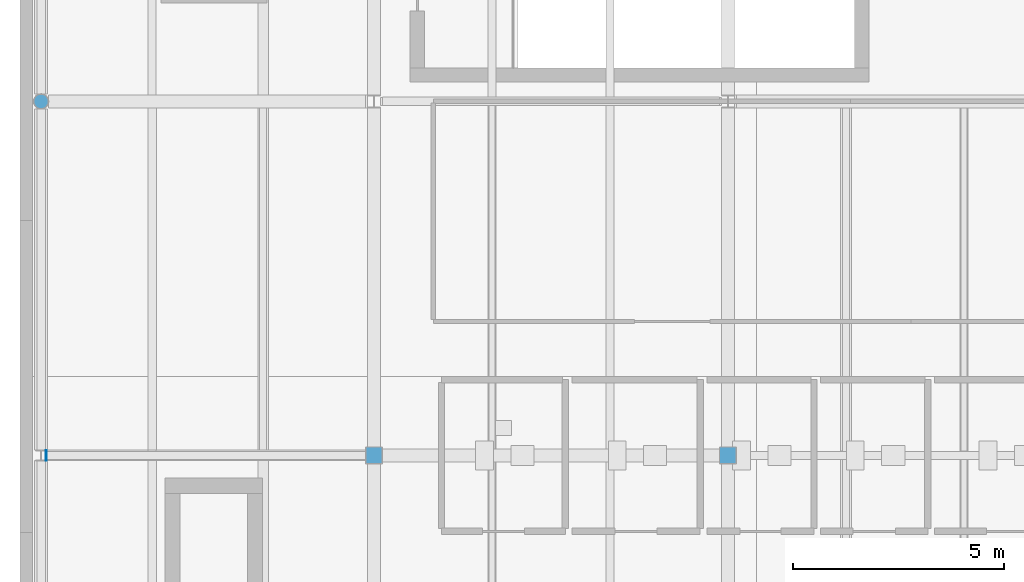
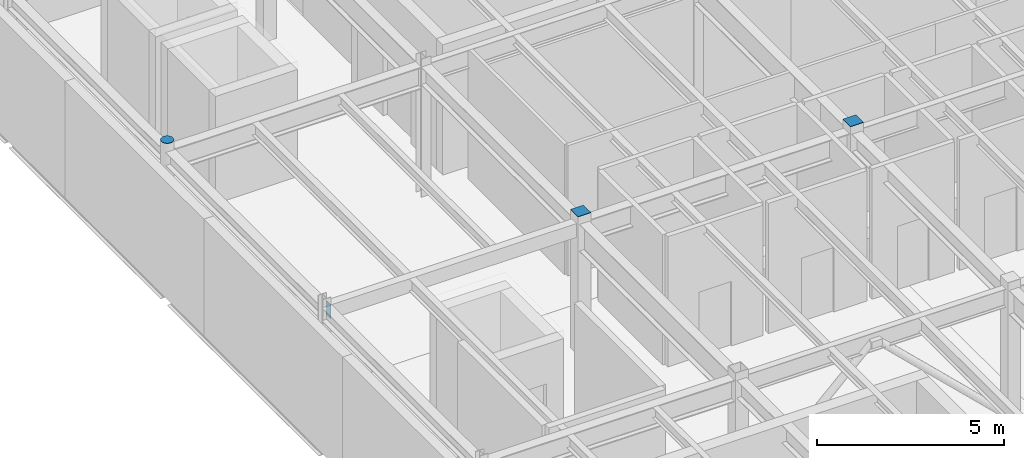
# One storey, part 22 of 26: 4 discrete accessories.
"""IFC4 building model written with IfcOpenShell, lengths in metres."""

from ifc_helpers import new_model, si_unit, direction, frame, origin, origin_2d, place, context, subcontext, project, spatial, rectangle, circle, extrude, material, type_object, element, save


model = new_model("IFC4")

# Units and contexts
model_context = context("Model", 3, precision=1e-05, world=origin(), true_north=direction((0.0, 1.0)))
body_context = subcontext(model_context, "Body", "Model", "MODEL_VIEW")
ifc_project = project(units=[si_unit("LENGTHUNIT", "METRE"), si_unit("AREAUNIT", "SQUARE_METRE"), si_unit("VOLUMEUNIT", "CUBIC_METRE"), si_unit("PLANEANGLEUNIT", "RADIAN"), si_unit("MASSUNIT", "GRAM", prefix="KILO"), si_unit("THERMODYNAMICTEMPERATUREUNIT", "KELVIN")], contexts=[model_context])

# Site, building, storey
site_placement = place(None, origin())
site = spatial("IfcSite", under=ifc_project, at=site_placement, CompositionType="ELEMENT")
building_placement = place(site_placement, origin())
building = spatial("IfcBuilding", under=site, at=building_placement, Name="Lustrewick Department Store", CompositionType="ELEMENT")
storey_placement = place(building_placement, frame((0.0, 0.0, 36.300048828125)))
storey = spatial("IfcBuildingStorey", under=building, at=storey_placement, Name="L08", CompositionType="ELEMENT", Elevation=36.300048828125)

# Discrete accessories
ifc_material = material(Name="Structural steel Q355C", Category="steel")
discrete_accessory_type = type_object("IfcDiscreteAccessoryType", Name="ECP-01", PredefinedType="USERDEFINED", material=ifc_material)
discrete_accessory_1_placement = place(storey_placement, frame((109.699951171875, 75.60009765625, 4.493896484375), z_axis=(0.0, 0.0, 1.0), x_axis=(1.0, 0.0, 0.0)))
element("IfcDiscreteAccessory", 1, at=discrete_accessory_1_placement, inside=storey, type_object=discrete_accessory_type, Name="L08 Welded Hollow-Section End-Cap Plate ECP-01", ObjectType="END_CAP_PLATE", PredefinedType="USERDEFINED", context=body_context, shape_type="SweptSolid", body=[
    extrude(circle(Radius=0.177978515625, at=origin_2d()), origin(), (0.0, 0.0, 1.0), 0.01611328125),
])
discrete_accessory_2_placement = place(storey_placement, frame((109.8310546875, 67.199951171875, 4.02001953125), z_axis=(-1.0, 0.0, 0.0), x_axis=(0.0, 1.0, 0.0)))
element("IfcDiscreteAccessory", 2, at=discrete_accessory_2_placement, inside=storey, type_object=discrete_accessory_type, Name="L08 Welded Hollow-Section End-Cap Plate ECP-01", ObjectType="END_CAP_PLATE", PredefinedType="USERDEFINED", context=body_context, shape_type="SweptSolid", body=[
    extrude(rectangle(XDim=0.25, YDim=0.449951171875, at=origin_2d()), origin(), (0.0, 0.0, 1.0), 0.01611328125),
])
for number, where, z_axis, x_axis, name in (
    (3, (126.0, 67.199951171875, 4.493896484375), (0.0, 0.0, 1.0), (1.0, 0.0, 0.0), "L08 Welded Hollow-Section End-Cap Plate ECP-01"),
    (4, (117.60009765625, 67.199951171875, 4.493896484375), (0.0, 0.0, 1.0), (1.0, 0.0, 0.0), "L08 Welded Hollow-Section End-Cap Plate ECP-01"),
):
    element("IfcDiscreteAccessory", number, at=place(storey_placement, frame(where, z_axis=z_axis, x_axis=x_axis)), inside=storey, type_object=discrete_accessory_type, Name=name, ObjectType="END_CAP_PLATE", PredefinedType="USERDEFINED", context=body_context, shape_type="SweptSolid", body=[
        extrude(rectangle(XDim=0.39990234375, YDim=0.39990234375, at=origin_2d()), origin(), (0.0, 0.0, 1.0), 0.01611328125),
    ])

save(model, "model.ifc")
